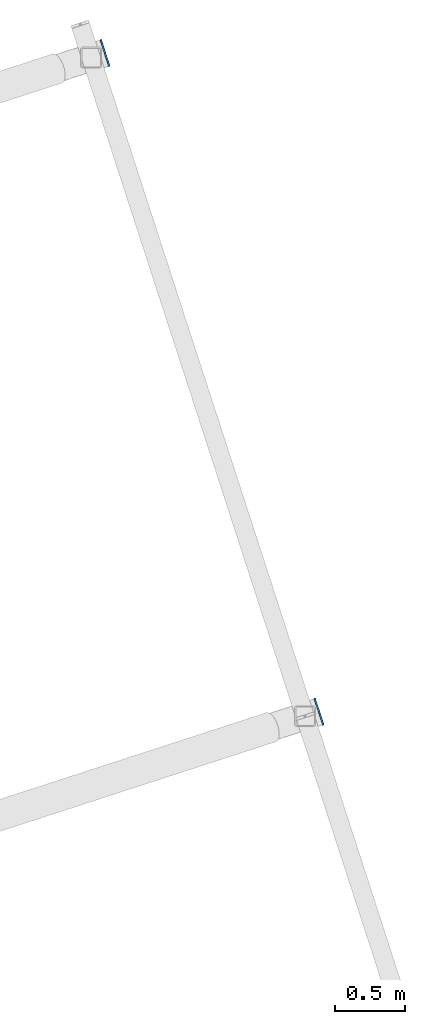
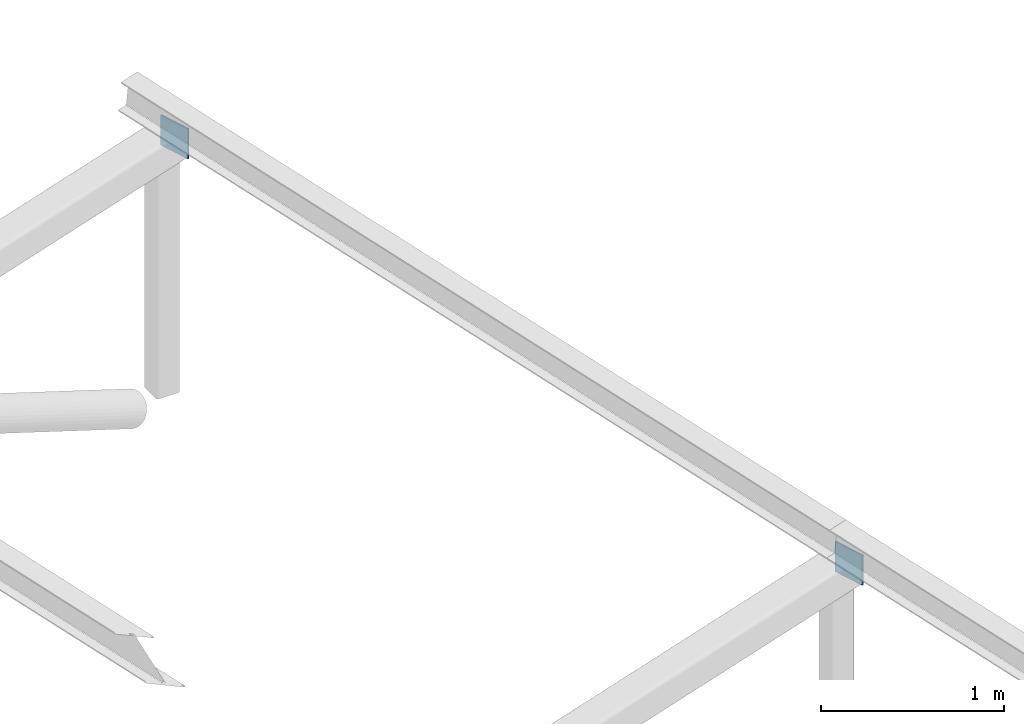
# One storey, part 38 of 43: 2 plates.
"""IFC4 building model written with IfcOpenShell, lengths in metres."""

from ifc_helpers import new_model, si_unit, direction, frame, origin, place, context, subcontext, project, spatial, polyline, outline, extrude, material, layer, layer_set, type_object, element, save


model = new_model("IFC4")

# Units and contexts
model_context = context("Model", 3, precision=1e-05, world=origin(), true_north=direction((0.0, 1.0)))
body_context = subcontext(model_context, "Body", "Model", "MODEL_VIEW")
ifc_project = project(units=[si_unit("LENGTHUNIT", "METRE"), si_unit("AREAUNIT", "SQUARE_METRE"), si_unit("VOLUMEUNIT", "CUBIC_METRE"), si_unit("PLANEANGLEUNIT", "RADIAN"), si_unit("MASSUNIT", "GRAM", prefix="KILO")], contexts=[model_context])

# Site, building, storey
site_placement = place(None, origin())
site = spatial("IfcSite", under=ifc_project, at=site_placement, CompositionType="ELEMENT")
building_placement = place(site_placement, origin())
building = spatial("IfcBuilding", under=site, at=building_placement, Name="Tuart Plaza Theatre", CompositionType="ELEMENT")
storey_placement = place(building_placement, frame((0.0, 0.0, 33.5)))
storey = spatial("IfcBuildingStorey", under=building, at=storey_placement, Name="L08", CompositionType="ELEMENT", Elevation=33.5)

# Plates
ifc_material = material(Name="Steel Grade C350L0", Category="steel")
ifc_layer = layer(ifc_material, 0.010009765625)
ifc_layer_set = layer_set([ifc_layer], Name="PLATE End cap 10 Steel Grade C350L0")
plate_type = type_object("IfcPlateType", Name="PLATE End cap 10 Steel Grade C350L0", PredefinedType="SHEET", material=ifc_layer_set)
for number, where, z_axis, x_axis, name in (
    (1, (64.169921875, 91.764404296875, 0.865478515625), (0.951096855055, 0.308892816854, 0.0), (-0.308892816854, 0.951096855055, 0.0), "EP28"),
    (2, (62.640380859375, 96.47216796875, 1.3857421875), (0.951096855055, 0.308892816854, 0.0), (-0.308892816854, 0.951096855055, 0.0), "EP32"),
):
    element("IfcPlate", number, at=place(storey_placement, frame(where, z_axis=z_axis, x_axis=x_axis)), inside=storey, type_object=plate_type, Name=name, PredefinedType="SHEET", context=body_context, shape_type="SweptSolid", body=[
        extrude(outline(polyline([(0.0, 0.0), (0.1999644367070575, 0.0), (0.1999644367070575, 0.199951171875), (0.0, 0.199951171875), (0.0, 0.0)])), origin(), (0.0, 0.0, -1.0), 0.010009765625),
    ])

save(model, "model.ifc")
